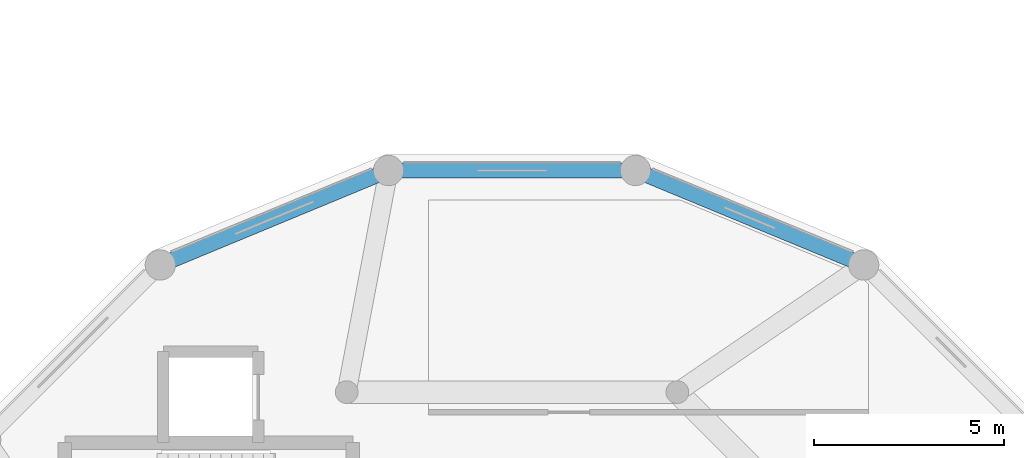
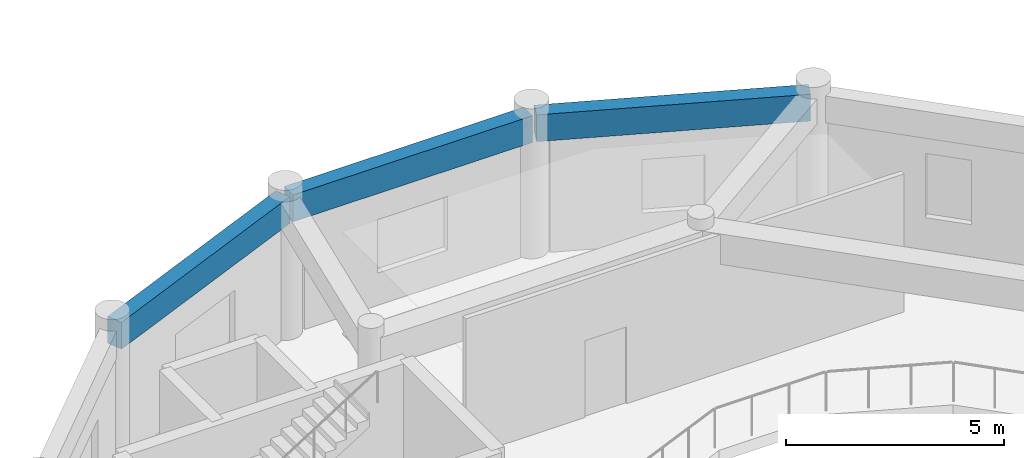
# One storey, part 40 of 138: 3 beams.
"""IFC4 building model written with IfcOpenShell, lengths in metres."""

import ifcopenshell
import ifcopenshell.guid

model = None  # the IFC model being written
_history = None  # IfcOwnerHistory: only IFC2X3 demands one
_inside = {}  # id of a spatial element -> (the spatial element, [elements in it])
_under = {}  # id of a project, library or spatial element -> (it, [spatial elements below it])
_declared = {}  # id of a project -> (the project, [libraries it declares])
_typed = {}  # id of a type object -> (the type object, [elements of that type])
_made_of = {}  # id of a material, layer set ... -> (it, [elements and type objects made of it])


def new_model(schema):
    """Start an empty IFC model of exactly this schema.

    Asked for "IFC4X3", IfcOpenShell would pick the latest addendum, in which some entities
    have other attributes; the version numbers below select the first issue.
    IFC2X3 requires an IfcOwnerHistory on every rooted entity: one is made here for all.
    """
    global model, _history
    if schema == "IFC4X3":
        model = ifcopenshell.file(schema_version=(4, 3, 0, 0))
    else:
        model = ifcopenshell.file(schema=schema)
    _inside.clear()
    _under.clear()
    _declared.clear()
    _typed.clear()
    _made_of.clear()
    _history = None
    if model.schema == "IFC2X3":
        org = make("IfcOrganization", Name="unknown")
        user = make(
            "IfcPersonAndOrganization",
            ThePerson=make("IfcPerson", FamilyName="unknown"),
            TheOrganization=org,
        )
        app = make(
            "IfcApplication",
            ApplicationDeveloper=org,
            Version="unknown",
            ApplicationFullName="unknown",
            ApplicationIdentifier="unknown",
        )
        _history = make(
            "IfcOwnerHistory",
            OwningUser=user,
            OwningApplication=app,
            ChangeAction="ADDED",
            CreationDate=0,
        )
    return model


def make(cls, **values):
    """One entity of the class cls with the attributes given. An attribute that is None is left unset."""
    return model.create_entity(
        cls, **{name: value for name, value in values.items() if value is not None}
    )


def rooted(cls, **values):
    """An entity with a GlobalId (a new one), such as an element, a storey or a relation."""
    return make(cls, GlobalId=ifcopenshell.guid.new(), OwnerHistory=_history, **values)


def si_unit(unit_type, name, prefix=None):
    """IfcSIUnit, for example si_unit("LENGTHUNIT", "METRE", prefix="MILLI")."""
    return make("IfcSIUnit", UnitType=unit_type, Prefix=prefix, Name=name)


def assignment(units):
    """IfcUnitAssignment: the units of a project."""
    return None if units is None else make("IfcUnitAssignment", Units=units)


def point(xyz):
    """IfcCartesianPoint."""
    return None if xyz is None else make("IfcCartesianPoint", Coordinates=xyz)


def direction(xyz):
    """IfcDirection."""
    return None if xyz is None else make("IfcDirection", DirectionRatios=xyz)


def frame(location, z_axis=None, x_axis=None):
    """IfcAxis2Placement3D, a coordinate frame: its origin and axes. An axis left out is left unset."""
    return make(
        "IfcAxis2Placement3D",
        Location=point(location),
        Axis=direction(z_axis),
        RefDirection=direction(x_axis),
    )


def frame_2d(location, x_axis=None):
    """IfcAxis2Placement2D, a coordinate frame in the plane: its origin and x axis."""
    return make(
        "IfcAxis2Placement2D", Location=point(location), RefDirection=direction(x_axis)
    )


def origin():
    """The frame at (0, 0, 0) with its axes left unset."""
    return frame((0.0, 0.0, 0.0))


def origin_2d():
    """The frame at (0, 0) in the plane with its x axis left unset."""
    return frame_2d((0.0, 0.0))


def place(relative_to, where):
    """IfcLocalPlacement: puts the frame where relative to a parent placement (None: the world)."""
    return make(
        "IfcLocalPlacement", PlacementRelTo=relative_to, RelativePlacement=where
    )


def context(
    kind, dimensions, precision=None, world=None, true_north=None, identifier=None
):
    """IfcGeometricRepresentationContext, for example the 3D "Model" context."""
    return make(
        "IfcGeometricRepresentationContext",
        ContextIdentifier=identifier,
        ContextType=kind,
        CoordinateSpaceDimension=dimensions,
        Precision=precision,
        WorldCoordinateSystem=world,
        TrueNorth=true_north,
    )


def subcontext(parent, identifier, kind, view, scale=None):
    """IfcGeometricRepresentationSubContext, for example "Body" below "Model"."""
    return make(
        "IfcGeometricRepresentationSubContext",
        ContextIdentifier=identifier,
        ContextType=kind,
        ParentContext=parent,
        TargetScale=scale,
        TargetView=view,
    )


def project(units=None, contexts=None):
    """IfcProject with its units and contexts."""
    return rooted(
        "IfcProject",
        Name="project",
        RepresentationContexts=contexts,
        UnitsInContext=assignment(units),
    )


def spatial(cls, under=None, at=None, **own):
    """A site, building, storey or space (cls), placed at a placement, below another one or the project."""
    s = rooted(cls, ObjectPlacement=at, **own)
    if under is not None:
        _under.setdefault(under.id(), (under, []))[1].append(s)
    return s


def profile(cls, at=None, kind="AREA", **sizes):
    """A parametric profile (cls). Its sizes go by their IFC names, for example OverallWidth=200.0."""
    return make(cls, ProfileType=kind, Position=at, **sizes)


def rectangle(**sizes):
    """IfcRectangleProfileDef."""
    return profile("IfcRectangleProfileDef", **sizes)


def extrude(swept, where, along, depth):
    """IfcExtrudedAreaSolid: the profile swept, set in the frame where, extruded along a direction by depth."""
    return make(
        "IfcExtrudedAreaSolid",
        SweptArea=swept,
        Position=where,
        ExtrudedDirection=direction(along),
        Depth=depth,
    )


def shape(context_of_items, identifier, shape_type, items):
    """IfcShapeRepresentation: the items that make up one representation, for example the "Body"."""
    return make(
        "IfcShapeRepresentation",
        ContextOfItems=context_of_items,
        RepresentationIdentifier=identifier,
        RepresentationType=shape_type,
        Items=items,
    )


def material(Name=None, Category=None):
    """IfcMaterial."""
    return make("IfcMaterial", Name=Name, Category=Category)


def material_profile(
    of_material, cross_section, Name=None, Category=None, Priority=None
):
    """IfcMaterialProfile: a cross section and its material."""
    return make(
        "IfcMaterialProfile",
        Name=Name,
        Material=of_material,
        Profile=cross_section,
        Priority=Priority,
        Category=Category,
    )


def profile_set(profiles, Name=None, composite=None):
    """IfcMaterialProfileSet."""
    return make(
        "IfcMaterialProfileSet",
        Name=Name,
        MaterialProfiles=profiles,
        CompositeProfile=composite,
    )


def made_of(thing, what):
    """Note that an element or type object is made of a material, layer set ...; save() writes the relation."""
    if what is not None:
        _made_of.setdefault(what.id(), (what, []))[1].append(thing)
    return thing


def type_object(cls, material=None, **own):
    """A type object (cls), such as IfcWallType, which elements share."""
    return made_of(rooted(cls, **own), material)


def element(
    cls,
    number,
    at=None,
    inside=None,
    cuts=None,
    type_object=None,
    material=None,
    context=None,
    identifier="Body",
    shape_type=None,
    held_by="IfcProductDefinitionShape",
    body=None,
    shapes=None,
    **own,
):
    """One element of the class cls, such as IfcWall. Its Tag is "e" and its number.

    at: its placement. inside: the storey or other place that contains it. cuts: it is an
    opening in that element (IfcRelVoidsElement). A single representation is given by context,
    identifier, shape_type and body (its items); several are given by shapes. held_by: the class
    of the entity that holds the representations. save() writes the other relations.
    """
    e = rooted(cls, Tag="e%d" % number, ObjectPlacement=at, **own)
    if body is not None:
        shapes = [shape(context, identifier, shape_type, body)]
    if shapes is not None:
        e.Representation = make(held_by, Representations=shapes)
    if inside is not None:
        _inside.setdefault(inside.id(), (inside, []))[1].append(e)
    if cuts is not None:
        rooted(
            "IfcRelVoidsElement", RelatingBuildingElement=cuts, RelatedOpeningElement=e
        )
    if type_object is not None:
        _typed.setdefault(type_object.id(), (type_object, []))[1].append(e)
    return made_of(e, material)


def aggregate(whole, parts):
    """IfcRelAggregates: a whole, such as a stair, and the parts it consists of."""
    return rooted("IfcRelAggregates", RelatingObject=whole, RelatedObjects=parts)


def save(model, path):
    """Write the relations noted so far, then the file.

    IfcRelAggregates (storeys below a building ...), IfcRelContainedInSpatialStructure (elements
    in a storey), IfcRelDefinesByType, IfcRelAssociatesMaterial and IfcRelDeclares: one each for
    every whole, place, type object, material and project.
    """
    for whole, parts in _under.values():
        aggregate(whole, parts)
    for where, things in _inside.values():
        rooted(
            "IfcRelContainedInSpatialStructure",
            RelatedElements=things,
            RelatingStructure=where,
        )
    for kind, things in _typed.values():
        rooted("IfcRelDefinesByType", RelatedObjects=things, RelatingType=kind)
    for what, things in _made_of.values():
        rooted("IfcRelAssociatesMaterial", RelatedObjects=things, RelatingMaterial=what)
    for by, libraries in _declared.values():
        rooted("IfcRelDeclares", RelatingContext=by, RelatedDefinitions=libraries)
    model.write(path)


model = new_model("IFC4")

# Units and contexts
model_context = context("Model", 3, precision=1e-05, world=origin(), true_north=direction((0.0, 1.0)))
body_context = subcontext(model_context, "Body", "Model", "MODEL_VIEW")
ifc_project = project(units=[si_unit("LENGTHUNIT", "METRE"), si_unit("AREAUNIT", "SQUARE_METRE"), si_unit("VOLUMEUNIT", "CUBIC_METRE"), si_unit("PLANEANGLEUNIT", "RADIAN"), si_unit("MASSUNIT", "GRAM", prefix="KILO"), si_unit("THERMODYNAMICTEMPERATUREUNIT", "KELVIN"), si_unit("POWERUNIT", "WATT")], contexts=[model_context])

# Site, building, storey
site_placement = place(None, origin())
site = spatial("IfcSite", under=ifc_project, at=site_placement, CompositionType="ELEMENT")
building_placement = place(site_placement, origin())
building = spatial("IfcBuilding", under=site, at=building_placement, Name="Darbajah Civic Hall", CompositionType="ELEMENT")
storey_placement = place(building_placement, frame((0.0, 0.0, 9.60009765625)))
storey = spatial("IfcBuildingStorey", under=building, at=storey_placement, Name="L02", CompositionType="ELEMENT", Elevation=9.60009765625)

# Beams
ifc_material = material(Name="Concrete C45/55", Category="concrete")
ifc_material_profile = material_profile(ifc_material, rectangle(XDim=0.39990234375, YDim=0.75, at=origin_2d()), Name="RC SPANDREL 400x750")
ifc_profile_set = profile_set([ifc_material_profile], Name="Concrete C45/55")
beam_type = type_object("IfcBeamType", Name="RC SPANDREL 400x750", PredefinedType="SPANDREL", material=ifc_profile_set)
for number, where, z_axis, x_axis, name in (
    (1, (25.995361328125, 95.520751953125, 3.5048828125), (-0.92387970686, 0.382683011449, 0.0), (-0.382683011449, -0.92387970686, 0.0), "L02 beam SP-4075"),
    (2, (19.96826171875, 97.97998046875, 3.5048828125), (-1.0, 0.0, 0.0), (0.0, -1.0, 0.0), "L02 beam SP-4075"),
):
    element("IfcBeam", number, at=place(storey_placement, frame(where, z_axis=z_axis, x_axis=x_axis)), inside=storey, type_object=beam_type, Name=name, PredefinedType="SPANDREL", context=body_context, shape_type="SweptSolid", body=[
        extrude(rectangle(XDim=0.39990234375, YDim=0.75, at=origin_2d()), origin(), (0.0, 0.0, 1.0), 6.33642578125),
    ])
beam_placement = place(storey_placement, frame((13.458740234375, 97.945556640625, 3.5048828125), z_axis=(-0.923885349179, -0.382669389384, 0.0), x_axis=(0.382669389384, -0.923885349179, 0.0)))
element("IfcBeam", 3, at=beam_placement, inside=storey, type_object=beam_type, Name="L02 beam SP-4075", PredefinedType="SPANDREL", context=body_context, shape_type="SweptSolid", body=[
    extrude(rectangle(XDim=0.39990234375, YDim=0.75, at=origin_2d()), origin(), (0.0, 0.0, 1.0), 6.336669921875),
])

save(model, "model.ifc")
